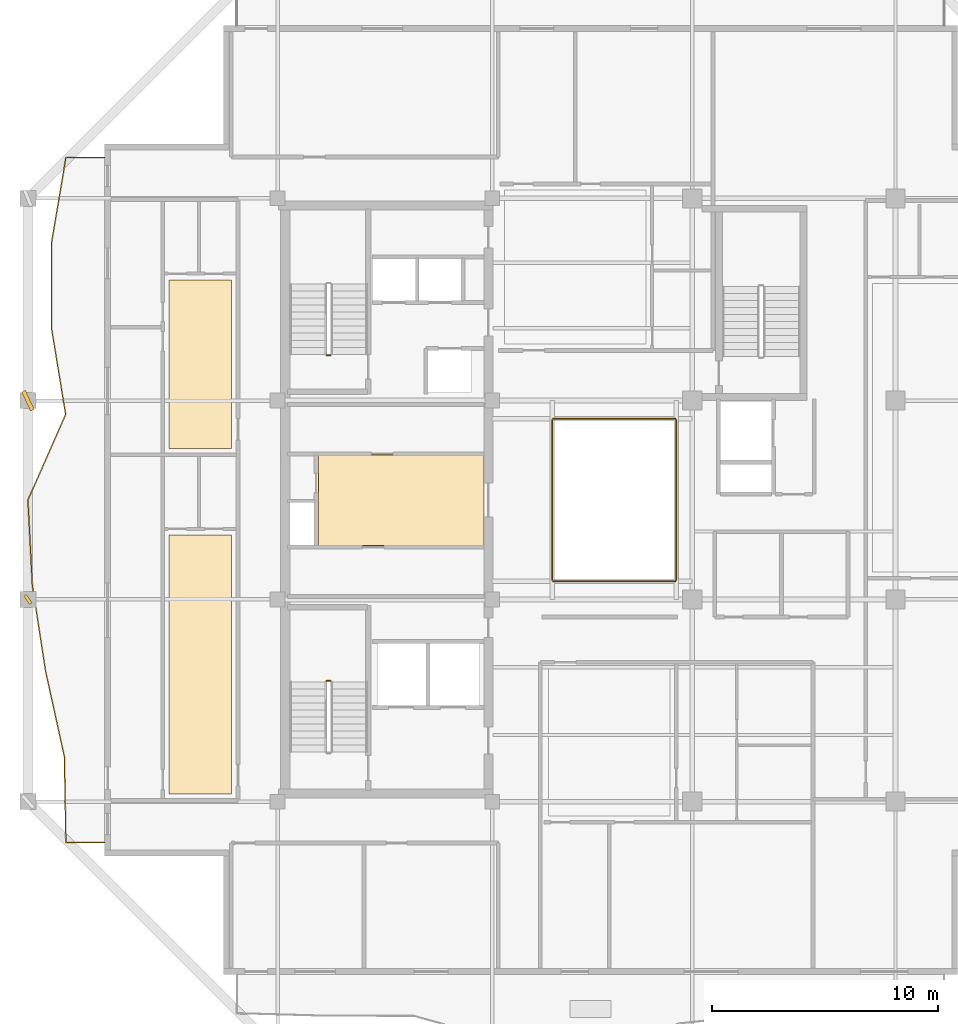
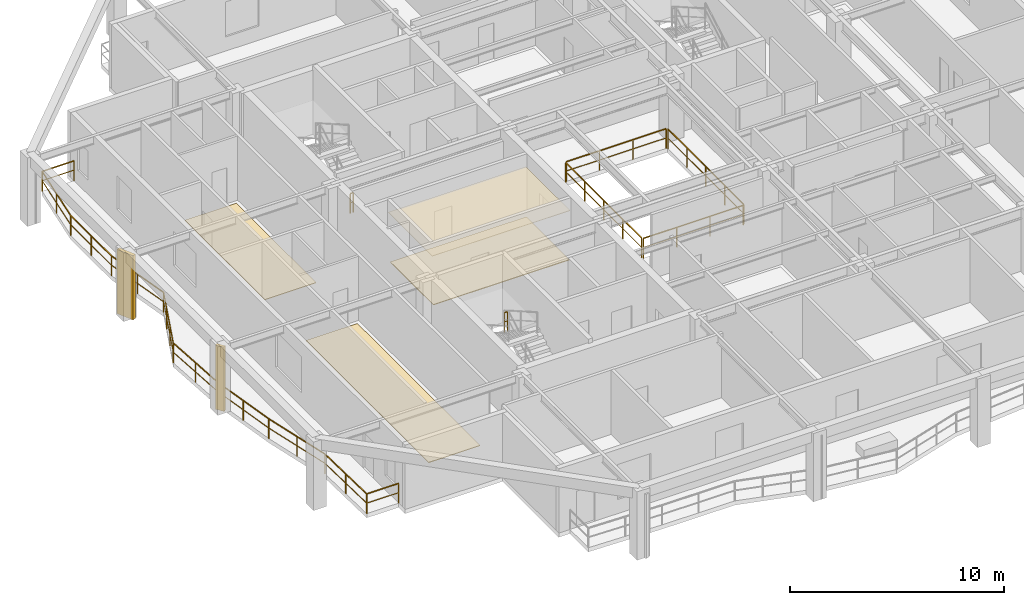
# One storey, part 8 of 11: 7 railings, 4 coverings, 2 shading devices.
"""IFC4 building model written with IfcOpenShell, lengths in metres."""

from ifc_helpers import new_model, si_unit, direction, frame, origin, origin_2d, place, context, subcontext, project, spatial, polyline, rectangle, outline, extrude, material, layer, layer_set, type_object, element, save


model = new_model("IFC4")

# Units and contexts
model_context = context("Model", 3, precision=1e-05, world=origin(), true_north=direction((0.0, 1.0)))
body_context = subcontext(model_context, "Body", "Model", "MODEL_VIEW")
ifc_project = project(units=[si_unit("LENGTHUNIT", "METRE"), si_unit("AREAUNIT", "SQUARE_METRE"), si_unit("VOLUMEUNIT", "CUBIC_METRE"), si_unit("PLANEANGLEUNIT", "RADIAN"), si_unit("MASSUNIT", "GRAM", prefix="KILO")], contexts=[model_context])

# Site, building, storey
site_placement = place(None, origin())
site = spatial("IfcSite", under=ifc_project, at=site_placement, CompositionType="ELEMENT")
building_placement = place(site_placement, origin())
building = spatial("IfcBuilding", under=site, at=building_placement, Name="Kundavana Baori Tower", CompositionType="ELEMENT")
storey_placement = place(building_placement, frame((0.0, 0.0, 257.0)))
storey = spatial("IfcBuildingStorey", under=building, at=storey_placement, Name="L63", CompositionType="ELEMENT", Elevation=257.0)

# Coverings
ifc_material_1 = material(Name="Honed Kota Stone and Terrazzo Flooring", Category="masonry")
ifc_layer_1 = layer(ifc_material_1, 0.0400390625, Name="COV-FLR-TERR-40")
ifc_layer_set_1 = layer_set([ifc_layer_1], Name="Honed Kota Stone and Terrazzo Flooring")
covering_type_1 = type_object("IfcCoveringType", Name="COV-FLR-TERR-40", PredefinedType="FLOORING", material=ifc_layer_set_1)
covering_1_placement = place(storey_placement, origin())
element("IfcCovering", 1, at=covering_1_placement, inside=storey, type_object=covering_type_1, Name="L63 Core Lift Lobby Kota Stone Flooring", PredefinedType="FLOORING", context=body_context, shape_type="SweptSolid", body=[
    extrude(outline(polyline([(17.25, 26.580078125), (24.580078125, 26.580078125), (24.580078125, 30.60009765625), (17.25, 30.60009765625), (17.25, 26.580078125)])), origin(), (0.0, 0.0, 1.0), 0.0400390625),
])
ifc_material_2 = material(Name="Perforated Acoustic Mineral Fibre Ceiling Board")
ifc_layer_2 = layer(ifc_material_2, 0.02490234375, Name="COV-INT-CEIL")
ifc_layer_set_2 = layer_set([ifc_layer_2], Name="Perforated Acoustic Mineral Fibre Ceiling Board")
covering_type_2 = type_object("IfcCoveringType", Name="COV-INT-CEIL", PredefinedType="CEILING", material=ifc_layer_set_2)
covering_2_placement = place(storey_placement, frame((0.0, 0.0, 2.85009765625)))
element("IfcCovering", 2, at=covering_2_placement, inside=storey, type_object=covering_type_2, Name="L63 Core Lift Lobby Acoustic Ceiling", PredefinedType="CEILING", context=body_context, shape_type="SweptSolid", body=[
    extrude(outline(polyline([(17.159912109375, 26.52001953125), (24.580078125, 26.52001953125), (24.580078125, 30.639892578125), (17.159912109375, 30.639892578125), (17.159912109375, 26.52001953125)])), origin(), (0.0, 0.0, 1.0), 0.02490234375),
])
ifc_material_3 = material(Name="Honed Kota Stone and Terrazzo Flooring", Category="masonry")
ifc_layer_3 = layer(ifc_material_3, 0.030029296875, Name="COV-INT-FLR")
ifc_layer_set_3 = layer_set([ifc_layer_3], Name="Honed Kota Stone and Terrazzo Flooring")
covering_type_3 = type_object("IfcCoveringType", Name="COV-INT-FLR", PredefinedType="FLOORING", material=ifc_layer_set_3)
covering_3_placement = place(storey_placement, origin())
element("IfcCovering", 3, at=covering_3_placement, inside=storey, type_object=covering_type_3, Name="L63 Room Finished Stone Flooring 1", PredefinedType="FLOORING", context=body_context, shape_type="SweptSolid", body=[
    extrude(outline(polyline([(10.64990234375, 15.580078125), (13.419921875, 15.580078125), (13.419921875, 27.0400390625), (10.64990234375, 27.0400390625), (10.64990234375, 15.580078125)])), origin(), (0.0, 0.0, 1.0), 0.030029296875),
])
covering_4_placement = place(storey_placement, origin())
element("IfcCovering", 4, at=covering_4_placement, inside=storey, type_object=covering_type_3, Name="L63 Room Finished Stone Flooring 2", PredefinedType="FLOORING", context=body_context, shape_type="SweptSolid", body=[
    extrude(outline(polyline([(10.64990234375, 30.8798828125), (13.419921875, 30.8798828125), (13.419921875, 38.340087890625), (10.64990234375, 38.340087890625), (10.64990234375, 30.8798828125)])), origin(), (0.0, 0.0, 1.0), 0.030029296875),
])

# Railings
ifc_material_4 = material(Name="Architectural Patinated Bronze Metalwork")
railing_type_1 = type_object("IfcRailingType", Name="RL-BAL-1150", PredefinedType="BALUSTRADE", material=ifc_material_4)
railing_1_placement = place(storey_placement, frame((7.800048828125, 13.449951171875, 0.0)))
element("IfcRailing", 5, at=railing_1_placement, inside=storey, type_object=railing_type_1, Name="L63 Loggia Balcony Balustrade W", PredefinedType="BALUSTRADE", context=body_context, shape_type="SweptSolid", body=[
    extrude(rectangle(XDim=0.048095703125, YDim=0.048095703125, at=origin_2d()), frame((0.0, 0.0, 1.1259765625), z_axis=(-1.0, 0.0, 0.0), x_axis=(0.0, -1.0, 0.0)), (0.0, 0.0, 1.0), 1.719970703125),
    extrude(rectangle(XDim=0.03125, YDim=0.03125, at=origin_2d()), frame((0.0, 0.0, 0.597900390625), z_axis=(-1.0, 0.0, 0.0), x_axis=(0.0, -1.0, 0.0)), (0.0, 0.0, 1.0), 1.719970703125),
    extrude(rectangle(XDim=0.048095703125, YDim=0.048095703125, at=origin_2d()), frame((-1.719970703125, 0.0, 1.1259765625), z_axis=(-0.018236203852, 0.999833706608, 0.0), x_axis=(-0.999833706608, -0.018236203852, 0.0)), (0.0, 0.0, 1.0), 3.788818359375),
    extrude(rectangle(XDim=0.03125, YDim=0.03125, at=origin_2d()), frame((-1.719970703125, 0.0, 0.597900390625), z_axis=(-0.018236203852, 0.999833706608, 0.0), x_axis=(-0.999833706608, -0.018236203852, 0.0)), (0.0, 0.0, 1.0), 3.788818359375),
    extrude(rectangle(XDim=0.048095703125, YDim=0.048095703125, at=origin_2d()), frame((-1.7890625, 3.7880859375, 1.1259765625), z_axis=(-0.214836558169, 0.976650015755, 0.0), x_axis=(-0.976650015755, -0.214836558169, 0.0)), (0.0, 0.0, 1.0), 3.87744140625),
    extrude(rectangle(XDim=0.03125, YDim=0.03125, at=origin_2d()), frame((-1.7890625, 3.7880859375, 0.597900390625), z_axis=(-0.214836558169, 0.976650015755, 0.0), x_axis=(-0.976650015755, -0.214836558169, 0.0)), (0.0, 0.0, 1.0), 3.87744140625),
    extrude(rectangle(XDim=0.048095703125, YDim=0.048095703125, at=origin_2d()), frame((-2.6220703125, 7.574951171875, 1.1259765625), z_axis=(-0.15165495858, 0.988433494747, 0.0), x_axis=(-0.988433494747, -0.15165495858, 0.0)), (0.0, 0.0, 1.0), 3.83154296875),
    extrude(rectangle(XDim=0.03125, YDim=0.03125, at=origin_2d()), frame((-2.6220703125, 7.574951171875, 0.597900390625), z_axis=(-0.15165495858, 0.988433494747, 0.0), x_axis=(-0.988433494747, -0.15165495858, 0.0)), (0.0, 0.0, 1.0), 3.83154296875),
    extrude(rectangle(XDim=0.048095703125, YDim=0.048095703125, at=origin_2d()), frame((-3.203125, 11.362060546875, 1.1259765625), z_axis=(-0.051940622011, 0.998650174879, 0.0), x_axis=(-0.998650174879, -0.051940622011, 0.0)), (0.0, 0.0, 1.0), 3.793212890625),
    extrude(rectangle(XDim=0.03125, YDim=0.03125, at=origin_2d()), frame((-3.203125, 11.362060546875, 0.597900390625), z_axis=(-0.051940622011, 0.998650174879, 0.0), x_axis=(-0.998650174879, -0.051940622011, 0.0)), (0.0, 0.0, 1.0), 3.793212890625),
    extrude(rectangle(XDim=0.048095703125, YDim=0.048095703125, at=origin_2d()), frame((-3.400146484375, 15.150146484375, 1.1259765625), z_axis=(0.402807807937, 0.915284584086, 0.0), x_axis=(-0.915284584086, 0.402807807937, 0.0)), (0.0, 0.0, 1.0), 4.138427734375),
    extrude(rectangle(XDim=0.03125, YDim=0.03125, at=origin_2d()), frame((-3.400146484375, 15.150146484375, 0.597900390625), z_axis=(0.402807807937, 0.915284584086, 0.0), x_axis=(-0.915284584086, 0.402807807937, 0.0)), (0.0, 0.0, 1.0), 4.138427734375),
    extrude(rectangle(XDim=0.048095703125, YDim=0.048095703125, at=origin_2d()), frame((-1.733154296875, 18.93798828125, 1.1259765625), z_axis=(-0.16177807389, 0.986827165622, 0.0), x_axis=(-0.986827165622, -0.16177807389, 0.0)), (0.0, 0.0, 1.0), 3.837646484375),
    extrude(rectangle(XDim=0.03125, YDim=0.03125, at=origin_2d()), frame((-1.733154296875, 18.93798828125, 0.597900390625), z_axis=(-0.16177807389, 0.986827165622, 0.0), x_axis=(-0.986827165622, -0.16177807389, 0.0)), (0.0, 0.0, 1.0), 3.837646484375),
    extrude(rectangle(XDim=0.048095703125, YDim=0.048095703125, at=origin_2d()), frame((-2.35400390625, 22.72509765625, 1.1259765625), z_axis=(-0.002127517589, 0.999997736832, 0.0), x_axis=(-0.999997736832, -0.002127517589, 0.0)), (0.0, 0.0, 1.0), 3.786865234375),
    extrude(rectangle(XDim=0.03125, YDim=0.03125, at=origin_2d()), frame((-2.35400390625, 22.72509765625, 0.597900390625), z_axis=(-0.002127517589, 0.999997736832, 0.0), x_axis=(-0.999997736832, -0.002127517589, 0.0)), (0.0, 0.0, 1.0), 3.786865234375),
    extrude(rectangle(XDim=0.048095703125, YDim=0.048095703125, at=origin_2d()), frame((-2.362060546875, 26.511962890625, 1.1259765625), z_axis=(0.167118699382, 0.985936783124, 0.0), x_axis=(-0.985936783124, 0.167118699382, 0.0)), (0.0, 0.0, 1.0), 3.842041015625),
    extrude(rectangle(XDim=0.03125, YDim=0.03125, at=origin_2d()), frame((-2.362060546875, 26.511962890625, 0.597900390625), z_axis=(0.167118699382, 0.985936783124, 0.0), x_axis=(-0.985936783124, 0.167118699382, 0.0)), (0.0, 0.0, 1.0), 3.842041015625),
    extrude(rectangle(XDim=0.048095703125, YDim=0.048095703125, at=origin_2d()), frame((-1.719970703125, 30.300048828125, 1.1259765625), z_axis=(1.0, 0.0, 0.0), x_axis=(0.0, 1.0, 0.0)), (0.0, 0.0, 1.0), 1.719970703125),
    extrude(rectangle(XDim=0.03125, YDim=0.03125, at=origin_2d()), frame((-1.719970703125, 30.300048828125, 0.597900390625), z_axis=(1.0, 0.0, 0.0), x_axis=(0.0, 1.0, 0.0)), (0.0, 0.0, 1.0), 1.719970703125),
    extrude(rectangle(XDim=0.0419921875, YDim=0.0419921875, at=origin_2d()), origin(), (0.0, 0.0, 1.0), 1.101806640625),
    extrude(rectangle(XDim=0.0419921875, YDim=0.0419921875, at=origin_2d()), frame((-1.719970703125, 0.0, 0.0)), (0.0, 0.0, 1.0), 1.101806640625),
    extrude(rectangle(XDim=0.0419921875, YDim=0.0419921875, at=origin_2d()), frame((-1.75439453125, 1.89404296875, 0.0)), (0.0, 0.0, 1.0), 1.101806640625),
    extrude(rectangle(XDim=0.0419921875, YDim=0.0419921875, at=origin_2d()), frame((-1.7890625, 3.7880859375, 0.0)), (0.0, 0.0, 1.0), 1.101806640625),
    extrude(rectangle(XDim=0.0419921875, YDim=0.0419921875, at=origin_2d()), frame((-2.20556640625, 5.681640625, 0.0)), (0.0, 0.0, 1.0), 1.101806640625),
    extrude(rectangle(XDim=0.0419921875, YDim=0.0419921875, at=origin_2d()), frame((-2.6220703125, 7.574951171875, 0.0)), (0.0, 0.0, 1.0), 1.101806640625),
    extrude(rectangle(XDim=0.0419921875, YDim=0.0419921875, at=origin_2d()), frame((-2.91259765625, 9.468505859375, 0.0)), (0.0, 0.0, 1.0), 1.101806640625),
    extrude(rectangle(XDim=0.0419921875, YDim=0.0419921875, at=origin_2d()), frame((-3.203125, 11.362060546875, 0.0)), (0.0, 0.0, 1.0), 1.101806640625),
    extrude(rectangle(XDim=0.0419921875, YDim=0.0419921875, at=origin_2d()), frame((-3.3017578125, 13.256103515625, 0.0)), (0.0, 0.0, 1.0), 1.101806640625),
    extrude(rectangle(XDim=0.0419921875, YDim=0.0419921875, at=origin_2d()), frame((-3.400146484375, 15.150146484375, 0.0)), (0.0, 0.0, 1.0), 1.101806640625),
    extrude(rectangle(XDim=0.0419921875, YDim=0.0419921875, at=origin_2d()), frame((-2.844482421875, 16.412841796875, 0.0)), (0.0, 0.0, 1.0), 1.101806640625),
    extrude(rectangle(XDim=0.0419921875, YDim=0.0419921875, at=origin_2d()), frame((-2.288818359375, 17.67529296875, 0.0)), (0.0, 0.0, 1.0), 1.101806640625),
    extrude(rectangle(XDim=0.0419921875, YDim=0.0419921875, at=origin_2d()), frame((-1.733154296875, 18.93798828125, 0.0)), (0.0, 0.0, 1.0), 1.101806640625),
    extrude(rectangle(XDim=0.0419921875, YDim=0.0419921875, at=origin_2d()), frame((-2.04345703125, 20.83154296875, 0.0)), (0.0, 0.0, 1.0), 1.101806640625),
    extrude(rectangle(XDim=0.0419921875, YDim=0.0419921875, at=origin_2d()), frame((-2.35400390625, 22.72509765625, 0.0)), (0.0, 0.0, 1.0), 1.101806640625),
    extrude(rectangle(XDim=0.0419921875, YDim=0.0419921875, at=origin_2d()), frame((-2.35791015625, 24.61865234375, 0.0)), (0.0, 0.0, 1.0), 1.101806640625),
    extrude(rectangle(XDim=0.0419921875, YDim=0.0419921875, at=origin_2d()), frame((-2.362060546875, 26.511962890625, 0.0)), (0.0, 0.0, 1.0), 1.101806640625),
    extrude(rectangle(XDim=0.0419921875, YDim=0.0419921875, at=origin_2d()), frame((-2.041015625, 28.406005859375, 0.0)), (0.0, 0.0, 1.0), 1.101806640625),
    extrude(rectangle(XDim=0.0419921875, YDim=0.0419921875, at=origin_2d()), frame((-1.719970703125, 30.300048828125, 0.0)), (0.0, 0.0, 1.0), 1.101806640625),
    extrude(rectangle(XDim=0.0419921875, YDim=0.0419921875, at=origin_2d()), frame((0.0, 30.300048828125, 0.0)), (0.0, 0.0, 1.0), 1.101806640625),
])
ifc_material_5 = material(Name="Architectural Patinated Bronze Metalwork")
railing_type_2 = type_object("IfcRailingType", Name="RL-GRD-1150", PredefinedType="GUARDRAIL", material=ifc_material_5)
for number, where, name in (
    (6, (17.7900390625, 20.60009765625, 1.949951171875), "L63 ST1 stair guard 2"),
    (7, (17.7900390625, 35.0, 0.0), "L63 ST2 stair guard 4"),
):
    element("IfcRailing", number, at=place(storey_placement, frame(where)), inside=storey, type_object=railing_type_2, Name=name, PredefinedType="GUARDRAIL", context=body_context, shape_type="SweptSolid", body=[
        extrude(rectangle(XDim=0.048095703125, YDim=0.048095703125, at=origin_2d()), frame((0.0, 0.0, 1.1259765625), z_axis=(-1.0, 0.0, 0.0), x_axis=(0.0, -1.0, 0.0)), (0.0, 0.0, 1.0), 0.16015625),
        extrude(rectangle(XDim=0.03125, YDim=0.03125, at=origin_2d()), frame((0.0, 0.0, 0.597900390625), z_axis=(-1.0, 0.0, 0.0), x_axis=(0.0, -1.0, 0.0)), (0.0, 0.0, 1.0), 0.16015625),
        extrude(rectangle(XDim=0.0419921875, YDim=0.0419921875, at=origin_2d()), origin(), (0.0, 0.0, 1.0), 1.101806640625),
        extrude(rectangle(XDim=0.0419921875, YDim=0.0419921875, at=origin_2d()), frame((-0.16015625, 0.0, 0.0)), (0.0, 0.0, 1.0), 1.101806640625),
    ])
railing_2_placement = place(storey_placement, frame((27.659912109375, 25.0, 0.0)))
element("IfcRailing", 8, at=railing_2_placement, inside=storey, type_object=railing_type_2, Name="L63 Atrium Void Perimeter Guardrail S", PredefinedType="GUARDRAIL", context=body_context, shape_type="SweptSolid", body=[
    extrude(rectangle(XDim=0.048095703125, YDim=0.048095703125, at=origin_2d()), frame((0.0, 0.0, 1.1259765625), z_axis=(1.0, 0.0, 0.0), x_axis=(0.0, 1.0, 0.0)), (0.0, 0.0, 1.0), 5.380126953125),
    extrude(rectangle(XDim=0.03125, YDim=0.03125, at=origin_2d()), frame((0.0, 0.0, 0.597900390625), z_axis=(1.0, 0.0, 0.0), x_axis=(0.0, 1.0, 0.0)), (0.0, 0.0, 1.0), 5.380126953125),
    extrude(rectangle(XDim=0.0419921875, YDim=0.0419921875, at=origin_2d()), origin(), (0.0, 0.0, 1.0), 1.101806640625),
    extrude(rectangle(XDim=0.0419921875, YDim=0.0419921875, at=origin_2d()), frame((1.79345703125, 0.0, 0.0)), (0.0, 0.0, 1.0), 1.101806640625),
    extrude(rectangle(XDim=0.0419921875, YDim=0.0419921875, at=origin_2d()), frame((3.586669921875, 0.0, 0.0)), (0.0, 0.0, 1.0), 1.101806640625),
    extrude(rectangle(XDim=0.0419921875, YDim=0.0419921875, at=origin_2d()), frame((5.380126953125, 0.0, 0.0)), (0.0, 0.0, 1.0), 1.101806640625),
])
railing_3_placement = place(storey_placement, frame((33.10009765625, 25.06005859375, 0.0)))
element("IfcRailing", 9, at=railing_3_placement, inside=storey, type_object=railing_type_2, Name="L63 Atrium Void Perimeter Guardrail E", PredefinedType="GUARDRAIL", context=body_context, shape_type="SweptSolid", body=[
    extrude(rectangle(XDim=0.048095703125, YDim=0.048095703125, at=origin_2d()), frame((0.0, 0.0, 1.1259765625), z_axis=(0.0, 1.0, 0.0), x_axis=(-1.0, 0.0, 0.0)), (0.0, 0.0, 1.0), 7.079833984375),
    extrude(rectangle(XDim=0.03125, YDim=0.03125, at=origin_2d()), frame((0.0, 0.0, 0.597900390625), z_axis=(0.0, 1.0, 0.0), x_axis=(-1.0, 0.0, 0.0)), (0.0, 0.0, 1.0), 7.079833984375),
    extrude(rectangle(XDim=0.0419921875, YDim=0.0419921875, at=origin_2d()), origin(), (0.0, 0.0, 1.0), 1.101806640625),
    extrude(rectangle(XDim=0.0419921875, YDim=0.0419921875, at=origin_2d()), frame((0.0, 1.77001953125, 0.0)), (0.0, 0.0, 1.0), 1.101806640625),
    extrude(rectangle(XDim=0.0419921875, YDim=0.0419921875, at=origin_2d()), frame((0.0, 3.5400390625, 0.0)), (0.0, 0.0, 1.0), 1.101806640625),
    extrude(rectangle(XDim=0.0419921875, YDim=0.0419921875, at=origin_2d()), frame((0.0, 5.309814453125, 0.0)), (0.0, 0.0, 1.0), 1.101806640625),
    extrude(rectangle(XDim=0.0419921875, YDim=0.0419921875, at=origin_2d()), frame((0.0, 7.079833984375, 0.0)), (0.0, 0.0, 1.0), 1.101806640625),
])
railing_4_placement = place(storey_placement, frame((33.0400390625, 32.199951171875, 0.0)))
element("IfcRailing", 10, at=railing_4_placement, inside=storey, type_object=railing_type_2, Name="L63 Atrium Void Perimeter Guardrail N", PredefinedType="GUARDRAIL", context=body_context, shape_type="SweptSolid", body=[
    extrude(rectangle(XDim=0.048095703125, YDim=0.048095703125, at=origin_2d()), frame((0.0, 0.0, 1.1259765625), z_axis=(-1.0, 0.0, 0.0), x_axis=(0.0, -1.0, 0.0)), (0.0, 0.0, 1.0), 5.380126953125),
    extrude(rectangle(XDim=0.03125, YDim=0.03125, at=origin_2d()), frame((0.0, 0.0, 0.597900390625), z_axis=(-1.0, 0.0, 0.0), x_axis=(0.0, -1.0, 0.0)), (0.0, 0.0, 1.0), 5.380126953125),
    extrude(rectangle(XDim=0.0419921875, YDim=0.0419921875, at=origin_2d()), origin(), (0.0, 0.0, 1.0), 1.101806640625),
    extrude(rectangle(XDim=0.0419921875, YDim=0.0419921875, at=origin_2d()), frame((-1.79345703125, 0.0, 0.0)), (0.0, 0.0, 1.0), 1.101806640625),
    extrude(rectangle(XDim=0.0419921875, YDim=0.0419921875, at=origin_2d()), frame((-3.586669921875, 0.0, 0.0)), (0.0, 0.0, 1.0), 1.101806640625),
    extrude(rectangle(XDim=0.0419921875, YDim=0.0419921875, at=origin_2d()), frame((-5.380126953125, 0.0, 0.0)), (0.0, 0.0, 1.0), 1.101806640625),
])
railing_5_placement = place(storey_placement, frame((27.60009765625, 32.139892578125, 0.0)))
element("IfcRailing", 11, at=railing_5_placement, inside=storey, type_object=railing_type_2, Name="L63 Atrium Void Perimeter Guardrail W", PredefinedType="GUARDRAIL", context=body_context, shape_type="SweptSolid", body=[
    extrude(rectangle(XDim=0.048095703125, YDim=0.048095703125, at=origin_2d()), frame((0.0, 0.0, 1.1259765625), z_axis=(0.0, -1.0, 0.0), x_axis=(1.0, 0.0, 0.0)), (0.0, 0.0, 1.0), 7.079833984375),
    extrude(rectangle(XDim=0.03125, YDim=0.03125, at=origin_2d()), frame((0.0, 0.0, 0.597900390625), z_axis=(0.0, -1.0, 0.0), x_axis=(1.0, 0.0, 0.0)), (0.0, 0.0, 1.0), 7.079833984375),
    extrude(rectangle(XDim=0.0419921875, YDim=0.0419921875, at=origin_2d()), origin(), (0.0, 0.0, 1.0), 1.101806640625),
    extrude(rectangle(XDim=0.0419921875, YDim=0.0419921875, at=origin_2d()), frame((0.0, -1.77001953125, 0.0)), (0.0, 0.0, 1.0), 1.101806640625),
    extrude(rectangle(XDim=0.0419921875, YDim=0.0419921875, at=origin_2d()), frame((0.0, -3.5400390625, 0.0)), (0.0, 0.0, 1.0), 1.101806640625),
    extrude(rectangle(XDim=0.0419921875, YDim=0.0419921875, at=origin_2d()), frame((0.0, -5.309814453125, 0.0)), (0.0, 0.0, 1.0), 1.101806640625),
    extrude(rectangle(XDim=0.0419921875, YDim=0.0419921875, at=origin_2d()), frame((0.0, -7.079833984375, 0.0)), (0.0, 0.0, 1.0), 1.101806640625),
])

# Shading devices
ifc_material_6 = material(Name="Red-Buff Dholpur Sandstone Cladding on Concrete C40/50", Category="masonry")
shading_device_type_1 = type_object("IfcShadingDeviceType", Name="SHD-FIN-920", PredefinedType="JALOUSIE", material=ifc_material_6)
shading_device_1_placement = place(storey_placement, frame((4.39990234375, 33.0, 0.0), z_axis=(0.0, 0.0, 1.0), x_axis=(0.906307787037, 0.422618261741, 0.0)))
element("IfcShadingDevice", 12, at=shading_device_1_placement, inside=storey, type_object=shading_device_type_1, Name="L63 Sweeping Dholpur Sandstone Facade Fin 7", PredefinedType="JALOUSIE", context=body_context, shape_type="SweptSolid", body=[
    extrude(rectangle(XDim=0.179931640625, YDim=0.919921875, at=origin_2d()), origin(), (0.0, 0.0, 1.0), 3.659912109375),
])
ifc_material_7 = material(Name="Architectural Patinated Bronze Metalwork")
shading_device_type_2 = type_object("IfcShadingDeviceType", Name="SHD-LOUV-450", PredefinedType="SHUTTER", material=ifc_material_7)
shading_device_2_placement = place(storey_placement, frame((4.39990234375, 24.199951171875, 0.0), z_axis=(0.0, 0.0, 1.0), x_axis=(0.826884319778, 0.562372049186, 0.0)))
element("IfcShadingDevice", 13, at=shading_device_2_placement, inside=storey, type_object=shading_device_type_2, Name="L63 Sweeping Dholpur Sandstone Facade Fin 6", PredefinedType="SHUTTER", context=body_context, shape_type="SweptSolid", body=[
    extrude(rectangle(XDim=0.139892578125, YDim=0.449951171875, at=origin_2d()), origin(), (0.0, 0.0, 1.0), 3.659912109375),
])

save(model, "model.ifc")
